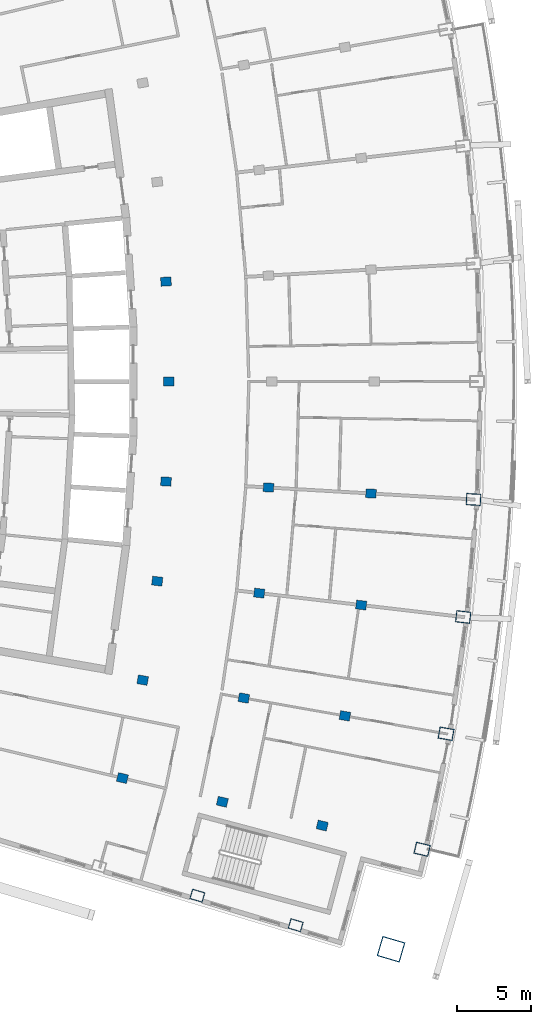
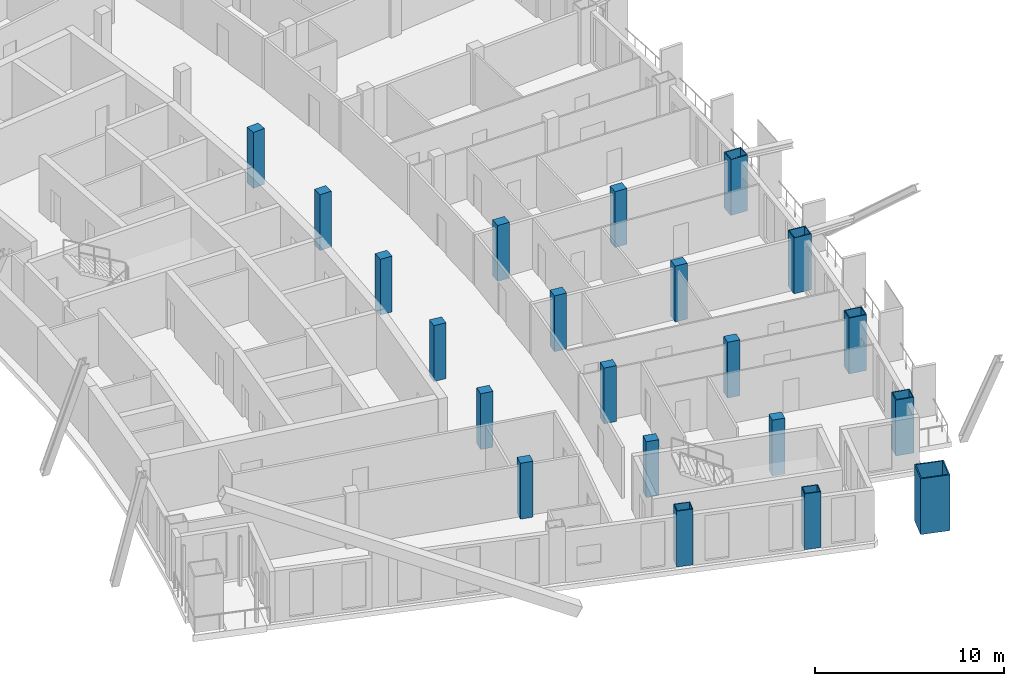
# One storey, part 2 of 17: 21 columns.
"""IFC4 building model written with IfcOpenShell, lengths in metres."""

from ifc_helpers import new_model, si_unit, direction, frame, origin, origin_2d, place, context, subcontext, project, spatial, rectangle, hollow_rectangle, extrude, material, material_profile, profile_set, type_object, element, save


model = new_model("IFC4")

# Units and contexts
model_context = context("Model", 3, precision=1e-05, world=origin(), true_north=direction((0.0, 1.0)))
body_context = subcontext(model_context, "Body", "Model", "MODEL_VIEW")
ifc_project = project(units=[si_unit("LENGTHUNIT", "METRE"), si_unit("AREAUNIT", "SQUARE_METRE"), si_unit("VOLUMEUNIT", "CUBIC_METRE"), si_unit("PLANEANGLEUNIT", "RADIAN"), si_unit("MASSUNIT", "GRAM", prefix="KILO")], contexts=[model_context])

# Site, building, storey
site_placement = place(None, origin())
site = spatial("IfcSite", under=ifc_project, at=site_placement, CompositionType="ELEMENT")
building_placement = place(site_placement, origin())
building = spatial("IfcBuilding", under=site, at=building_placement, Name="Alderwake Tower", CompositionType="ELEMENT")
storey_placement = place(building_placement, frame((0.0, 0.0, 256.39990234375)))
storey = spatial("IfcBuildingStorey", under=building, at=storey_placement, Name="L63", CompositionType="ELEMENT", Elevation=256.39990234375)

# Columns
ifc_material_1 = material(Name="Steel ASTM A572 Grade 50 concrete filled C70/85", Category="concrete")
ifc_material_profile_1 = material_profile(ifc_material_1, hollow_rectangle(XDim=0.699951171875, YDim=0.89990234375, WallThickness=0.050048828125, at=origin_2d()), Name="BOX 900X700X50")
ifc_profile_set_1 = profile_set([ifc_material_profile_1], Name="Steel ASTM A572 Grade 50 concrete filled C70/85")
column_type_1 = type_object("IfcColumnType", Name="End column Z5", PredefinedType="COLUMN", material=ifc_profile_set_1)
for number, where, z_axis, x_axis, name in (
    (1, (37.720947265625, 26.283203125, 0.0), (0.0, 0.0, 1.0), (0.282862128353, 0.959160579019, 0.0), "Column R02-C3"),
    (2, (44.361572265625, 24.28955078125, 0.0), (0.0, 0.0, 1.0), (0.28311490023, 0.95908599889, 0.0), "Column R02-C4"),
):
    element("IfcColumn", number, at=place(storey_placement, frame(where, z_axis=z_axis, x_axis=x_axis)), inside=storey, type_object=column_type_1, Name=name, PredefinedType="COLUMN", context=body_context, shape_type="SweptSolid", body=[
        extrude(hollow_rectangle(XDim=0.699951171875, YDim=0.89990234375, WallThickness=0.050048828125, at=origin_2d()), origin(), (0.0, 0.0, 1.0), 3.60009765625),
    ])
ifc_material_2 = material(Name="Concrete C70/85", Category="concrete")
ifc_material_profile_2 = material_profile(ifc_material_2, rectangle(XDim=0.60009765625, YDim=0.699951171875, at=origin_2d()), Name="RC 700X600")
ifc_profile_set_2 = profile_set([ifc_material_profile_2], Name="Concrete C70/85")
column_type_2 = type_object("IfcColumnType", Name="Interior column Z5", PredefinedType="COLUMN", material=ifc_profile_set_2)
for number, where, z_axis, x_axis, name in (
    (3, (32.661865234375, 34.224609375, 0.0), (0.0, 0.0, 1.0), (0.231221547198, 0.972901123502, 0.0), "Column R03-C2"),
    (4, (39.407470703125, 32.621337890625, 0.0), (0.0, 0.0, 1.0), (0.231221547198, 0.972901123502, 0.0), "Column R03-C3"),
    (5, (46.15283203125, 31.018310546875, 0.0), (0.0, 0.0, 1.0), (0.231221547198, 0.972901123502, 0.0), "Column R03-C4"),
    (6, (34.03125, 40.83837890625, 0.0), (0.0, 0.0, 1.0), (0.174108800747, 0.984726421654, 0.0), "Column R04-C2"),
    (7, (40.858642578125, 39.631103515625, 0.0), (0.0, 0.0, 1.0), (0.174108800747, 0.984726421654, 0.0), "Column R04-C3"),
    (8, (47.686279296875, 38.424072265625, 0.0), (0.0, 0.0, 1.0), (0.174108800747, 0.984726421654, 0.0), "Column R04-C4"),
    (9, (35.0126953125, 47.5205078125, 0.0), (0.0, 0.0, 1.0), (0.116402054316, 0.993202175668, 0.0), "Column R05-C2"),
    (10, (41.89892578125, 46.713623046875, 0.0), (0.0, 0.0, 1.0), (0.116402054316, 0.993202175668, 0.0), "Column R05-C3"),
    (11, (48.78515625, 45.906494140625, 0.0), (0.0, 0.0, 1.0), (0.116402054316, 0.993202175668, 0.0), "Column R05-C4"),
    (12, (35.60302734375, 54.248779296875, 0.0), (0.0, 0.0, 1.0), (0.058301061284, 0.998299046505, 0.0), "Column R06-C2"),
    (13, (42.5244140625, 53.844482421875, 0.0), (0.0, 0.0, 1.0), (0.058301061284, 0.998299046505, 0.0), "Column R06-C3"),
    (14, (49.446044921875, 53.4404296875, 0.0), (0.0, 0.0, 1.0), (0.058301061284, 0.998299046505, 0.0), "Column R06-C4"),
    (15, (35.800048828125, 61.0, 0.0), (0.0, 0.0, 1.0), (0.0, 1.0, 0.0), "Column R07-C2"),
    (16, (35.60302734375, 67.751220703125, 0.0), (0.0, 0.0, 1.0), (-0.058301061284, 0.998299046505, 0.0), "Column R08-C2"),
):
    element("IfcColumn", number, at=place(storey_placement, frame(where, z_axis=z_axis, x_axis=x_axis)), inside=storey, type_object=column_type_2, Name=name, PredefinedType="COLUMN", context=body_context, shape_type="SweptSolid", body=[
        extrude(rectangle(XDim=0.60009765625, YDim=0.699951171875, at=origin_2d()), origin(), (0.0, 0.0, 1.0), 3.60009765625),
    ])
ifc_material_3 = material(Name="Steel ASTM A572 Grade 50 concrete filled C70/85", Category="concrete")
ifc_material_profile_3 = material_profile(ifc_material_3, hollow_rectangle(XDim=1.39990234375, YDim=1.60009765625, WallThickness=0.070068359375, at=origin_2d()), Name="BOX 1600X1400X70")
ifc_profile_set_3 = profile_set([ifc_material_profile_3], Name="Steel ASTM A572 Grade 50 concrete filled C70/85")
column_type_3 = type_object("IfcColumnType", Name="Mega column Z5", PredefinedType="COLUMN", material=ifc_profile_set_3)
column_placement = place(storey_placement, frame((50.798828125, 22.66796875, 0.0), z_axis=(0.0, 0.0, 1.0), x_axis=(0.281232869624, 0.959639553709, 0.0)))
element("IfcColumn", 17, at=column_placement, inside=storey, type_object=column_type_3, Name="Column R02-C5", PredefinedType="COLUMN", context=body_context, shape_type="SweptSolid", body=[
    extrude(hollow_rectangle(XDim=1.39990234375, YDim=1.60009765625, WallThickness=0.070068359375, at=origin_2d()), origin(), (0.0, 0.0, 1.0), 3.60009765625),
])
ifc_material_4 = material(Name="Steel ASTM A572 Grade 50 concrete filled C70/85", Category="concrete")
ifc_material_profile_4 = material_profile(ifc_material_4, hollow_rectangle(XDim=0.800048828125, YDim=1.0, WallThickness=0.054931640625, at=origin_2d()), Name="BOX 1000X800X55")
ifc_profile_set_4 = profile_set([ifc_material_profile_4], Name="Steel ASTM A572 Grade 50 concrete filled C70/85")
column_type_4 = type_object("IfcColumnType", Name="Perimeter column Z5", PredefinedType="COLUMN", material=ifc_profile_set_4)
for number, where, z_axis, x_axis, name in (
    (18, (52.898193359375, 29.4150390625, 0.0), (0.0, 0.0, 1.0), (0.231221547198, 0.972901123502, 0.0), "Column R03-C5"),
    (19, (54.513671875, 37.216796875, 0.0), (0.0, 0.0, 1.0), (0.174108800747, 0.984726421654, 0.0), "Column R04-C5"),
    (20, (55.67138671875, 45.099609375, 0.0), (0.0, 0.0, 1.0), (0.116402054316, 0.993202175668, 0.0), "Column R05-C5"),
    (21, (56.36767578125, 53.0361328125, 0.0), (0.0, 0.0, 1.0), (0.058299318924, 0.998299148258, 0.0), "Column R06-C5"),
):
    element("IfcColumn", number, at=place(storey_placement, frame(where, z_axis=z_axis, x_axis=x_axis)), inside=storey, type_object=column_type_4, Name=name, PredefinedType="COLUMN", context=body_context, shape_type="SweptSolid", body=[
        extrude(hollow_rectangle(XDim=0.800048828125, YDim=1.0, WallThickness=0.054931640625, at=origin_2d()), origin(), (0.0, 0.0, 1.0), 3.60009765625),
    ])

save(model, "model.ifc")
